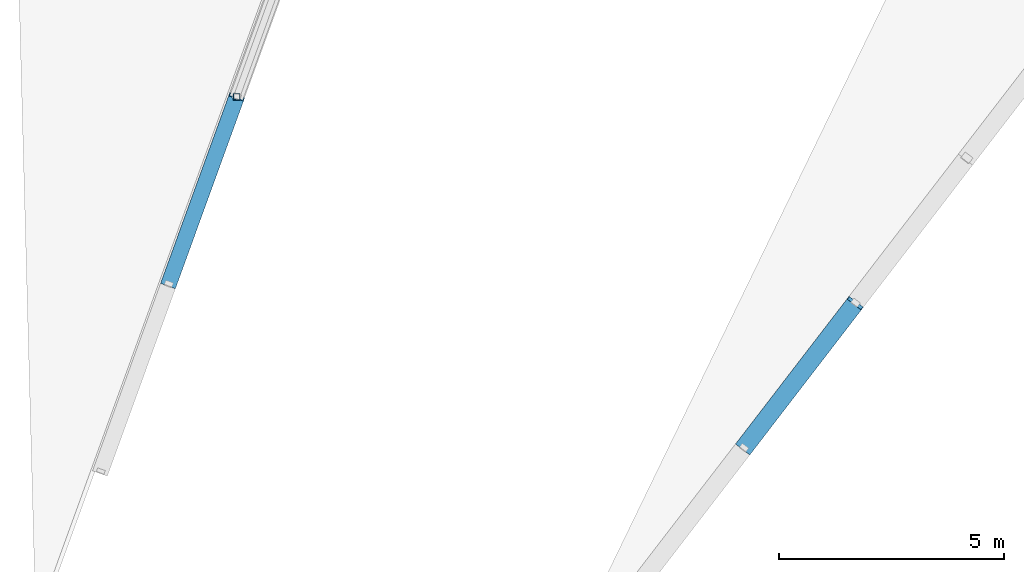
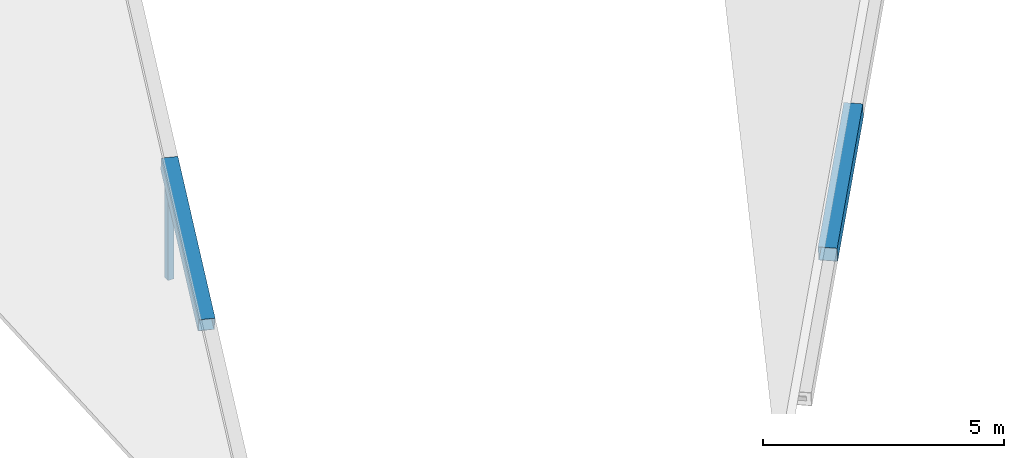
# One storey, part 96 of 188: 3 members.
"""IFC4 building model written with IfcOpenShell, lengths in metres."""

from ifc_helpers import new_model, si_unit, direction, frame, origin, origin_2d, place, context, subcontext, project, spatial, hollow_rectangle, extrude, material, material_profile, profile_set, type_object, element, save


model = new_model("IFC4")

# Units and contexts
model_context = context("Model", 3, precision=1e-05, world=origin(), true_north=direction((0.0, 1.0)))
body_context = subcontext(model_context, "Body", "Model", "MODEL_VIEW")
ifc_project = project(units=[si_unit("LENGTHUNIT", "METRE"), si_unit("AREAUNIT", "SQUARE_METRE"), si_unit("VOLUMEUNIT", "CUBIC_METRE"), si_unit("PLANEANGLEUNIT", "RADIAN"), si_unit("MASSUNIT", "GRAM", prefix="KILO")], contexts=[model_context])

# Site, building, storey
site_placement = place(None, origin())
site = spatial("IfcSite", under=ifc_project, at=site_placement, CompositionType="ELEMENT")
building_placement = place(site_placement, origin())
building = spatial("IfcBuilding", under=site, at=building_placement, Name="Meseta Stadium", CompositionType="ELEMENT")
storey_placement = place(building_placement, frame((0.0, 0.0, 30.0)))
storey = spatial("IfcBuildingStorey", under=building, at=storey_placement, Name="ROOF", CompositionType="ELEMENT", Elevation=30.0)

# Members
ifc_material_1 = material(Name="Steel S355", Category="steel")
ifc_material_profile_1 = material_profile(ifc_material_1, hollow_rectangle(XDim=0.139892578125, YDim=0.139892578125, WallThickness=0.0048828125, at=origin_2d()), Name="SHS 140x140x5")
ifc_profile_set_1 = profile_set([ifc_material_profile_1], Name="Steel S355")
member_type_1 = type_object("IfcMemberType", Name="SHS 140x140x5 post", PredefinedType="POST", material=ifc_profile_set_1)
member_1_placement = place(storey_placement, frame((28.411865234375, 78.06396484375, 0.661865234375), z_axis=(0.0, 0.0, 1.0), x_axis=(1.0, 0.0, 0.0)))
element("IfcMember", 1, at=member_1_placement, inside=storey, type_object=member_type_1, Name="ROOF TRUSS RT-16 post", PredefinedType="POST", context=body_context, shape_type="SweptSolid", body=[
    extrude(hollow_rectangle(XDim=0.139892578125, YDim=0.139892578125, WallThickness=0.0048828125, at=origin_2d()), origin(), (0.0, 0.0, 1.0), 2.9140625),
])
ifc_material_2 = material(Name="Steel S355", Category="steel")
ifc_material_profile_2 = material_profile(ifc_material_2, hollow_rectangle(XDim=0.35009765625, YDim=0.35009765625, WallThickness=0.010009765625, at=origin_2d()), Name="SHS 350x350x10")
ifc_profile_set_2 = profile_set([ifc_material_profile_2], Name="Steel S355")
member_type_2 = type_object("IfcMemberType", Name="SHS 350x350x10 top chord", PredefinedType="CHORD", material=ifc_profile_set_2)
member_2_placement = place(storey_placement, frame((26.901123046875, 73.901611328125, 2.534912109375), z_axis=(0.332121563749, 0.915051800317, 0.228856875861), x_axis=(-0.939999305221, 0.341176356426, 0.0)))
element("IfcMember", 2, at=member_2_placement, inside=storey, type_object=member_type_2, Name="ROOF TRUSS RT-16 top chord", PredefinedType="CHORD", context=body_context, shape_type="SweptSolid", body=[
    extrude(hollow_rectangle(XDim=0.35009765625, YDim=0.35009765625, WallThickness=0.010009765625, at=origin_2d()), origin(), (0.0, 0.0, 1.0), 4.548828125),
])
ifc_material_3 = material(Name="Steel S355", Category="steel")
ifc_material_profile_3 = material_profile(ifc_material_3, hollow_rectangle(XDim=0.39990234375, YDim=0.39990234375, WallThickness=0.010009765625, at=origin_2d()), Name="SHS 400x400x10")
ifc_profile_set_3 = profile_set([ifc_material_profile_3], Name="Steel S355")
member_type_3 = type_object("IfcMemberType", Name="SHS 400x400x10 top chord", PredefinedType="CHORD", material=ifc_profile_set_3)
member_3_placement = place(storey_placement, frame((39.672607421875, 70.265380859375, 2.05078125), z_axis=(0.597020682494, 0.776456667852, 0.201696176518), x_axis=(-0.792749139849, 0.609548030321, 0.0)))
element("IfcMember", 3, at=member_3_placement, inside=storey, type_object=member_type_3, Name="ROOF TRUSS RT-14 top chord", PredefinedType="CHORD", context=body_context, shape_type="SweptSolid", body=[
    extrude(hollow_rectangle(XDim=0.39990234375, YDim=0.39990234375, WallThickness=0.010009765625, at=origin_2d()), origin(), (0.0, 0.0, 1.0), 4.145751953125),
])

save(model, "model.ifc")
